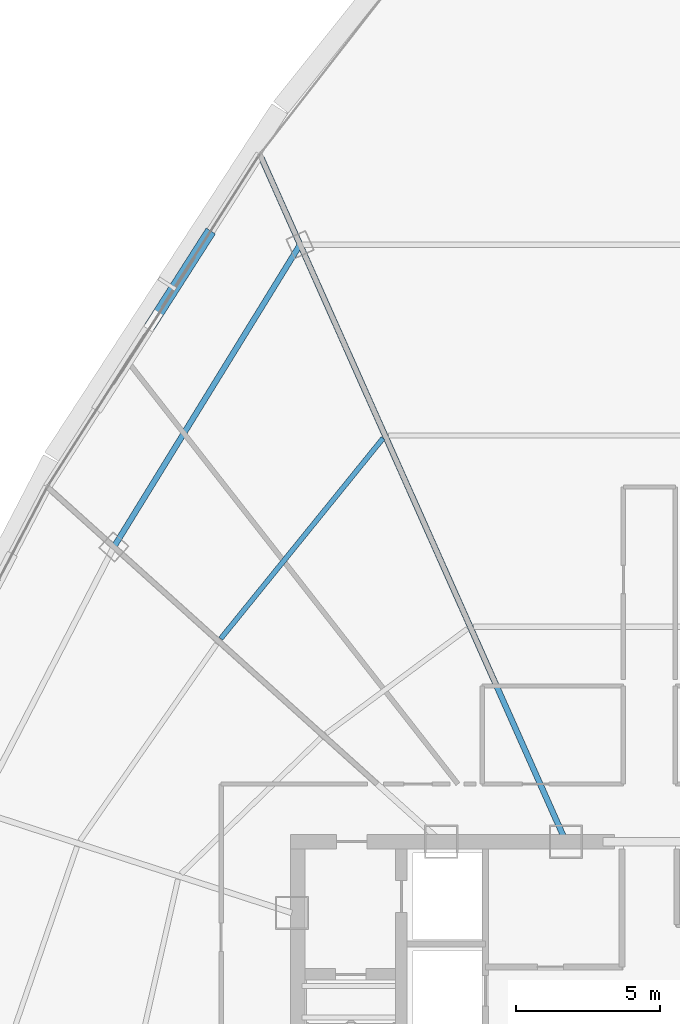
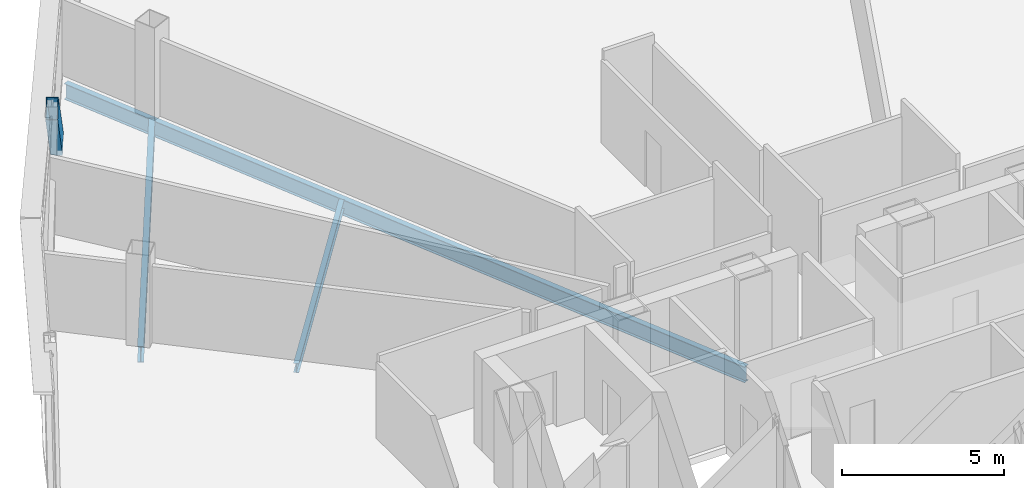
# One storey, part 18 of 37: 3 beams, 1 member.
"""IFC4 building model written with IfcOpenShell, lengths in metres."""

from ifc_helpers import new_model, si_unit, direction, frame, origin, origin_2d, place, context, subcontext, project, spatial, hollow_rectangle, i_section, extrude, source, transform, mapped, material, material_profile, profile_set, type_object, element, save


model = new_model("IFC4")

# Units and contexts
model_context = context("Model", 3, precision=1e-05, world=origin(), true_north=direction((0.0, 1.0)))
body_context = subcontext(model_context, "Body", "Model", "MODEL_VIEW")
ifc_project = project(units=[si_unit("LENGTHUNIT", "METRE"), si_unit("AREAUNIT", "SQUARE_METRE"), si_unit("VOLUMEUNIT", "CUBIC_METRE"), si_unit("PLANEANGLEUNIT", "RADIAN"), si_unit("MASSUNIT", "GRAM", prefix="KILO"), si_unit("THERMODYNAMICTEMPERATUREUNIT", "KELVIN"), si_unit("POWERUNIT", "WATT")], contexts=[model_context])

# Site, building, storey
site_placement = place(None, origin())
site = spatial("IfcSite", under=ifc_project, at=site_placement, CompositionType="ELEMENT")
building_placement = place(site_placement, origin())
building = spatial("IfcBuilding", under=site, at=building_placement, Name="Yunzhuo Pagoda Commons", CompositionType="ELEMENT")
storey_placement = place(building_placement, frame((0.0, 0.0, 277.56005859375)))
storey = spatial("IfcBuildingStorey", under=building, at=storey_placement, Name="L69", CompositionType="ELEMENT", Elevation=277.56005859375)

# Beams
ifc_material = material(Name="Structural steel Q355B", Category="steel")
ifc_material_profile_1 = material_profile(ifc_material, i_section(OverallWidth=0.199951171875, OverallDepth=0.60009765625, WebThickness=0.010986328125, FlangeThickness=0.01708984375, at=origin_2d()), Name="Structural steel Q355B")
ifc_profile_set_1 = profile_set([ifc_material_profile_1], Name="Structural steel Q355B")
beam_type_1 = type_object("IfcBeamType", Name="B-RG3 Beam HN 600x200x11x17", PredefinedType="BEAM", material=ifc_profile_set_1)
shared_shape_1 = source(origin(), body_context, "Body", "SweptSolid", [
    extrude(i_section(OverallWidth=0.199951171875, OverallDepth=0.60009765625, WebThickness=0.010986328125, FlangeThickness=0.01708984375, at=origin_2d()), origin(), (0.0, 0.0, 1.0), 25.947265625),
])
beam_1_placement = place(storey_placement, frame((34.55224609375, 63.904052734375, -0.56005859375), z_axis=(0.406735516134, -0.913545959389, 0.0), x_axis=(0.913545959389, 0.406735516134, 0.0)))
element("IfcBeam", 1, at=beam_1_placement, inside=storey, type_object=beam_type_1, Name="L69 radial floor girder F3C1", PredefinedType="BEAM", context=body_context, shape_type="MappedRepresentation", body=[
    mapped(shared_shape_1, transform((0.0, 0.0, 0.0), scale=1.0)),
])
shared_shape_2 = source(origin(), body_context, "Body", "SweptSolid", [
    extrude(i_section(OverallWidth=0.199951171875, OverallDepth=0.60009765625, WebThickness=0.010986328125, FlangeThickness=0.01708984375, at=origin_2d()), origin(), (0.0, 0.0, 1.0), 12.315185546875),
])
beam_2_placement = place(storey_placement, frame((35.8857421875, 60.9091796875, -0.56005859375), z_axis=(-0.524469015689, -0.851429534126, 0.0), x_axis=(0.851429534126, -0.524469015689, 0.0)))
element("IfcBeam", 2, at=beam_2_placement, inside=storey, type_object=beam_type_1, Name="L69 column-ring beam 9", PredefinedType="BEAM", context=body_context, shape_type="MappedRepresentation", body=[
    mapped(shared_shape_2, transform((0.0, 0.0, 0.0), scale=1.0)),
])
ifc_material_profile_2 = material_profile(ifc_material, i_section(OverallWidth=0.175048828125, OverallDepth=0.35009765625, WebThickness=0.007080078125, FlangeThickness=0.010986328125, at=origin_2d()), Name="Structural steel Q355B")
ifc_profile_set_2 = profile_set([ifc_material_profile_2], Name="Structural steel Q355B")
beam_type_2 = type_object("IfcBeamType", Name="B-JS2 Joist HN 350x175x7x11", PredefinedType="JOIST", material=ifc_profile_set_2)
shared_shape_3 = source(origin(), body_context, "Body", "SweptSolid", [
    extrude(i_section(OverallWidth=0.175048828125, OverallDepth=0.35009765625, WebThickness=0.007080078125, FlangeThickness=0.010986328125, at=origin_2d()), origin(), (0.0, 0.0, 1.0), 8.9462890625),
])
beam_3_placement = place(storey_placement, frame((38.763916015625, 54.19287109375, -0.43505859375), z_axis=(-0.629455685791, -0.777036382434, 0.0), x_axis=(0.777036382434, -0.629455685791, 0.0)))
element("IfcBeam", 3, at=beam_3_placement, inside=storey, type_object=beam_type_2, Name="L69 composite ring joist 2.9", PredefinedType="JOIST", context=body_context, shape_type="MappedRepresentation", body=[
    mapped(shared_shape_3, transform((0.0, 0.0, 0.0), scale=1.0)),
])

# Member
ifc_material_profile_3 = material_profile(ifc_material, hollow_rectangle(XDim=0.3798828125, YDim=0.719970703125, WallThickness=0.02001953125, at=origin_2d()), Name="Structural steel Q355B")
ifc_profile_set_3 = profile_set([ifc_material_profile_3], Name="Structural steel Q355B")
member_type = type_object("IfcMemberType", Name="M-DL3 Brace BOX 720x380x20", PredefinedType="BRACE", material=ifc_profile_set_3)
shared_shape_4 = source(origin(), body_context, "Body", "SweptSolid", [
    extrude(hollow_rectangle(XDim=0.3798828125, YDim=0.719970703125, WallThickness=0.02001953125, at=origin_2d()), origin(), (0.0, 0.0, 1.0), 5.063232421875),
])
member_placement = place(storey_placement, frame((32.646240234375, 61.159912109375, -0.260009765625), z_axis=(-0.363995553528, -0.569933427301, 0.736670296304), x_axis=(0.842782513918, -0.538254246833, 0.0)))
element("IfcMember", 4, at=member_placement, inside=storey, type_object=member_type, Name="L69 facade diamond brace F3.1L", PredefinedType="BRACE", context=body_context, shape_type="MappedRepresentation", body=[
    mapped(shared_shape_4, transform((0.0, 0.0, 0.0), scale=1.0)),
])

save(model, "model.ifc")
